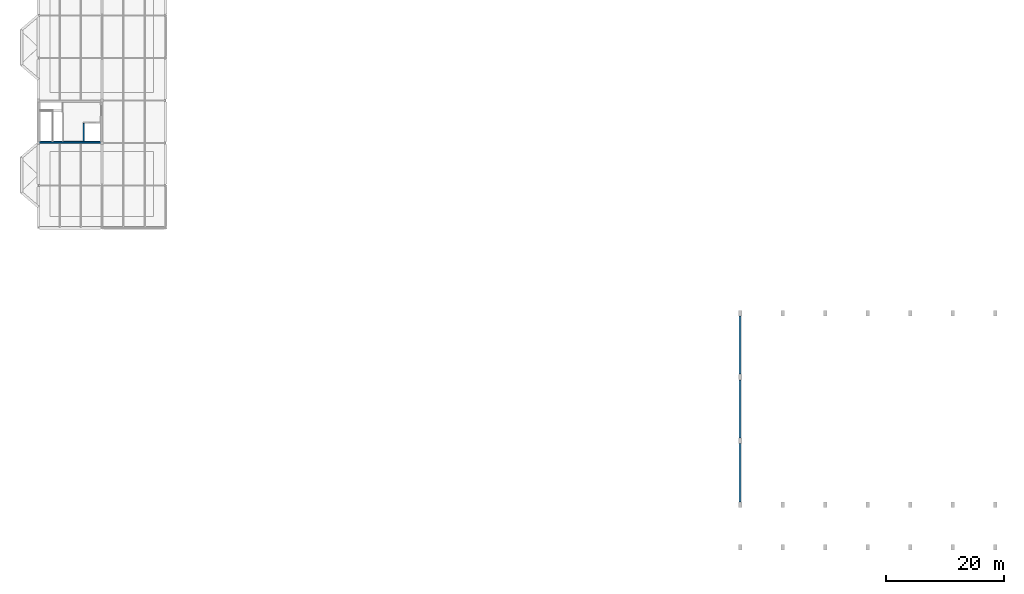
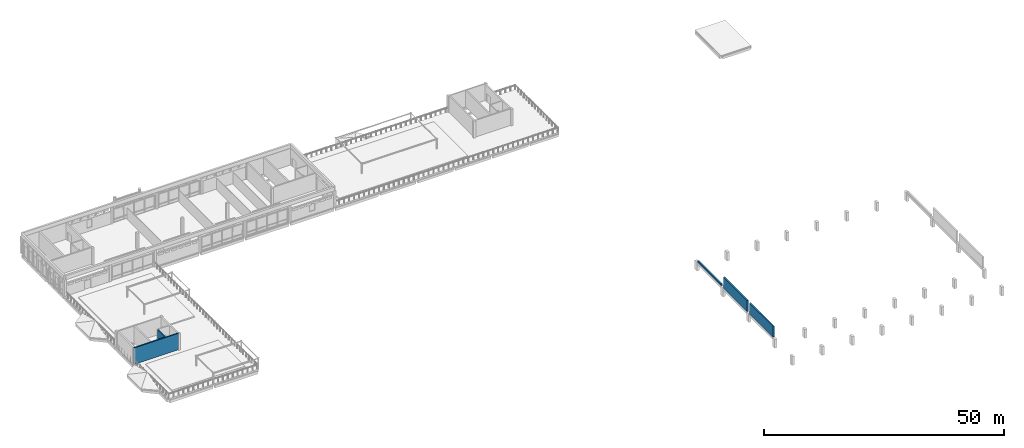
# One storey, part 24 of 33: 5 walls.
"""IFC4 building model written with IfcOpenShell, lengths in metres."""

from ifc_helpers import new_model, si_unit, direction, frame, frame_2d, origin, place, context, subcontext, project, spatial, rectangle, extrude, material, layer, layer_set, type_object, element, save


model = new_model("IFC4")

# Units and contexts
model_context = context("Model", 3, precision=1e-05, world=origin(), true_north=direction((0.0, 1.0)))
body_context = subcontext(model_context, "Body", "Model", "MODEL_VIEW")
ifc_project = project(units=[si_unit("LENGTHUNIT", "METRE"), si_unit("AREAUNIT", "SQUARE_METRE"), si_unit("VOLUMEUNIT", "CUBIC_METRE"), si_unit("PLANEANGLEUNIT", "RADIAN"), si_unit("MASSUNIT", "GRAM", prefix="KILO")], contexts=[model_context])

# Site, building, storey
site_placement = place(None, origin())
site = spatial("IfcSite", under=ifc_project, at=site_placement, CompositionType="ELEMENT")
building_placement = place(site_placement, origin())
building = spatial("IfcBuilding", under=site, at=building_placement, Name="Lusvemor Sports Hall", CompositionType="ELEMENT")
storey_placement = place(building_placement, frame((0.0, 0.0, 19.199951171875)))
storey = spatial("IfcBuildingStorey", under=building, at=storey_placement, Name="L04", CompositionType="ELEMENT", Elevation=19.199951171875)

# Walls
ifc_material_1 = material(Name="Warm terracotta Art Nouveau ceramic cladding on Concrete C40/50 backing", Category="masonry")
ifc_layer_1 = layer(ifc_material_1, 0.340087890625)
ifc_layer_set_1 = layer_set([ifc_layer_1], Name="Warm terracotta Art Nouveau ceramic cladding on Concrete C40/50 backing")
wall_type_1 = type_object("IfcWallType", Name="EW_TERR_CAV_340", PredefinedType="STANDARD", material=ifc_layer_set_1)
for number, where, z_axis, x_axis, name in (
    (1, (118.800048828125, 7.679931640625, 2.2099609375), (0.0, 0.0, 1.0), (0.0, 1.0, 0.0), "Exterior Wall EW-V2TYM-W-1"),
    (2, (118.800048828125, 18.47998046875, 2.2099609375), (0.0, 0.0, 1.0), (0.0, 1.0, 0.0), "Exterior Wall EW-V2TYM-W-2"),
):
    element("IfcWall", number, at=place(storey_placement, frame(where, z_axis=z_axis, x_axis=x_axis)), inside=storey, type_object=wall_type_1, Name=name, PredefinedType="STANDARD", context=body_context, shape_type="SweptSolid", body=[
        extrude(rectangle(XDim=9.840087890625, YDim=0.340087890625, at=frame_2d((4.919921875, 0.0))), origin(), (0.0, 0.0, 1.0), 2.78515625),
    ])
wall_1_placement = place(storey_placement, frame((118.800048828125, 29.280029296875, 2.2099609375), z_axis=(0.0, 0.0, 1.0), x_axis=(0.0, 1.0, 0.0)))
element("IfcWall", 3, at=wall_1_placement, inside=storey, type_object=wall_type_1, Name="Exterior Wall EW-V2TYM-W-3", PredefinedType="STANDARD", context=body_context, shape_type="SweptSolid", body=[
    extrude(rectangle(XDim=9.840087890625, YDim=0.340087890625, at=frame_2d((4.919921875, 0.0))), origin(), (0.0, 0.0, 1.0), 0.398681640625),
])
ifc_material_2 = material(Name="Concrete C40/50", Category="concrete")
ifc_layer_2 = layer(ifc_material_2, 0.2099609375)
ifc_layer_set_2 = layer_set([ifc_layer_2], Name="Concrete C40/50")
wall_type_2 = type_object("IfcWallType", Name="IW_SHFT_212", PredefinedType="STANDARD", material=ifc_layer_set_2)
wall_2_placement = place(storey_placement, frame((7.695068359375, 68.699951171875, 0.0), z_axis=(0.0, 0.0, 1.0), x_axis=(0.0, 1.0, 0.0)))
element("IfcWall", 4, at=wall_2_placement, inside=storey, type_object=wall_type_2, Name="Lift LP-02 Shaft Side Wall (L04)", PredefinedType="STANDARD", context=body_context, shape_type="SweptSolid", body=[
    extrude(rectangle(XDim=3.045166015625, YDim=0.2099609375, at=frame_2d((1.5224609375, 0.0))), origin(), (0.0, 0.0, 1.0), 4.199951171875),
])
ifc_material_3 = material(Name="Concrete C40/50", Category="concrete")
ifc_layer_3 = layer(ifc_material_3, 0.300048828125)
ifc_layer_set_3 = layer_set([ifc_layer_3], Name="Concrete C40/50")
wall_type_3 = type_object("IfcWallType", Name="WALL_CORE_300_INT", PredefinedType="SHEAR", material=ifc_layer_set_3)
wall_3_placement = place(storey_placement, frame((10.800048828125, 68.550048828125, 0.0), z_axis=(0.0, 0.0, 1.0), x_axis=(-1.0, 0.0, 0.0)))
element("IfcWall", 5, at=wall_3_placement, inside=storey, type_object=wall_type_3, Name="Core C3 West-Central Shear Wall S (L04)", PredefinedType="SHEAR", context=body_context, shape_type="SweptSolid", body=[
    extrude(rectangle(XDim=10.800048828125, YDim=0.300048828125, at=frame_2d((5.39990234375, 0.0))), origin(), (0.0, 0.0, 1.0), 4.199951171875),
])

save(model, "model.ifc")
